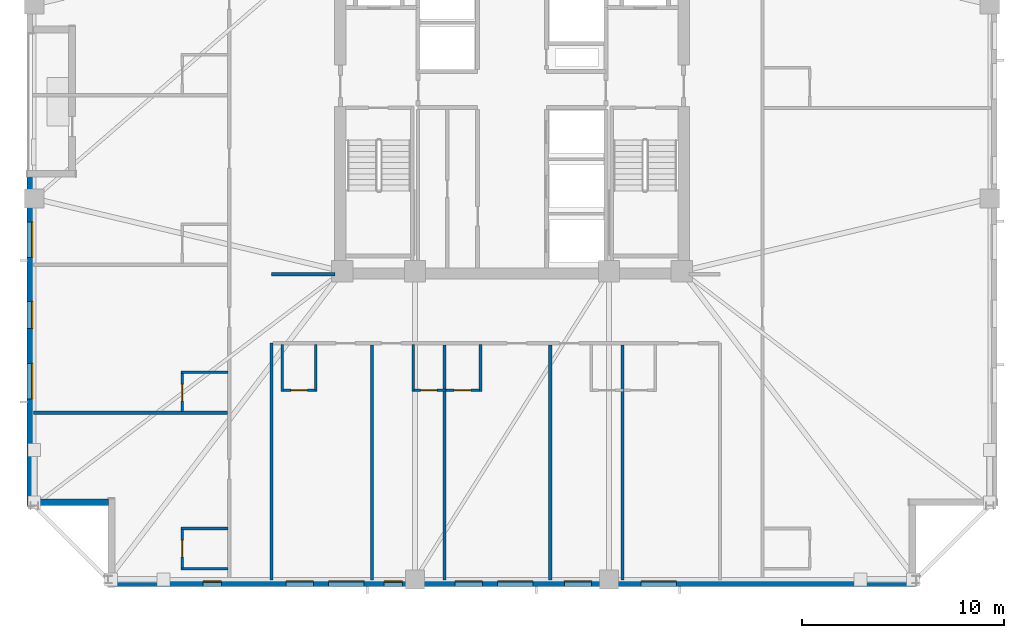
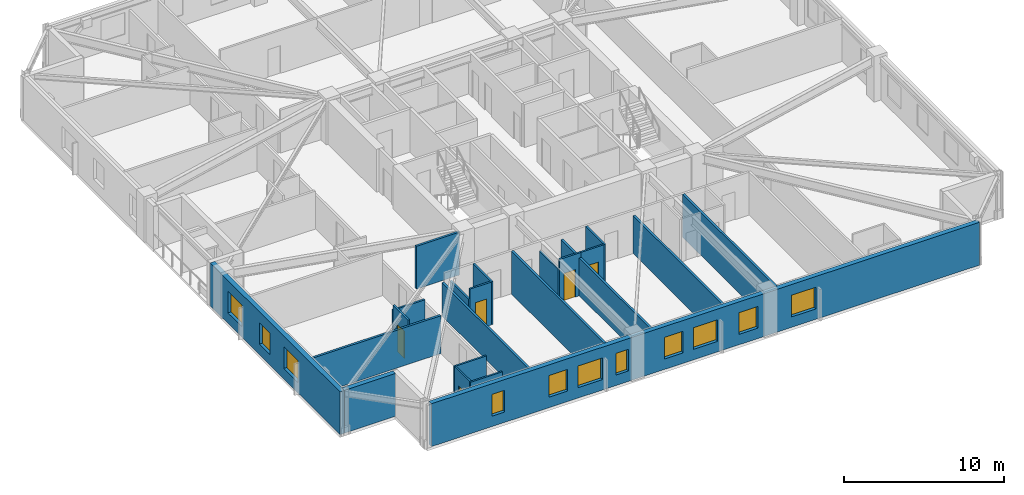
# One storey, part 2 of 11: 22 walls, 11 windows, 5 doors, 16 openings.
"""IFC4 building model written with IfcOpenShell, lengths in metres."""

from ifc_helpers import new_model, si_unit, direction, frame, frame_2d, origin, place, context, subcontext, project, spatial, rectangle, extrude, material, layer, layer_set, type_object, element, fill, save


model = new_model("IFC4")

# Units and contexts
model_context = context("Model", 3, precision=1e-05, world=origin(), true_north=direction((0.0, 1.0)))
body_context = subcontext(model_context, "Body", "Model", "MODEL_VIEW")
ifc_project = project(units=[si_unit("LENGTHUNIT", "METRE"), si_unit("AREAUNIT", "SQUARE_METRE"), si_unit("VOLUMEUNIT", "CUBIC_METRE"), si_unit("PLANEANGLEUNIT", "RADIAN"), si_unit("MASSUNIT", "GRAM", prefix="KILO")], contexts=[model_context])

# Site, building, storey
site_placement = place(None, origin())
site = spatial("IfcSite", under=ifc_project, at=site_placement, CompositionType="ELEMENT")
building_placement = place(site_placement, origin())
building = spatial("IfcBuilding", under=site, at=building_placement, Name="Cairnveth Concourse Tower", CompositionType="ELEMENT")
storey_placement = place(building_placement, frame((0.0, 0.0, 123.5)))
storey = spatial("IfcBuildingStorey", under=building, at=storey_placement, Name="L33", CompositionType="ELEMENT", Elevation=123.5)

# Walls
ifc_material_1 = material(Name="Gypsum Plasterboard Partition", Category="gypsum")
ifc_layer_1 = layer(ifc_material_1, 0.159912109375)
ifc_layer_set_1 = layer_set([ifc_layer_1], Name="Gypsum Plasterboard Partition")
wall_type_1 = type_object("IfcWallType", Name="ACOUSTIC PARTY WALL 180", PredefinedType="PARTITIONING", material=ifc_layer_set_1)
wall_1_placement = place(storey_placement, frame((40.10009765625, 15.324951171875, 0.0), z_axis=(0.0, 0.0, 1.0), x_axis=(0.0, 1.0, 0.0)))
element("IfcWall", 1, at=wall_1_placement, inside=storey, type_object=wall_type_1, Name="Interior Wall IW-L33-038", PredefinedType="PARTITIONING", context=body_context, shape_type="SweptSolid", body=[
    extrude(rectangle(XDim=11.715087890625, YDim=0.159912109375, at=frame_2d((5.857421875, 0.0))), origin(), (0.0, 0.0, 1.0), 2.554931640625),
])
wall_2_placement = place(storey_placement, frame((40.10009765625, 30.449951171875, 0.0), z_axis=(0.0, 0.0, 1.0), x_axis=(1.0, 0.0, 0.0)))
element("IfcWall", 2, at=wall_2_placement, inside=storey, type_object=wall_type_1, Name="Interior Wall IW-L33-040", PredefinedType="PARTITIONING", context=body_context, shape_type="SweptSolid", body=[
    extrude(rectangle(XDim=3.135009765625, YDim=0.159912109375, at=frame_2d((1.5673828125, 0.0))), origin(), (0.0, 0.0, 1.0), 3.280029296875),
])
wall_3_placement = place(storey_placement, frame((45.075439453125, 15.324951171875, 0.0), z_axis=(0.0, 0.0, 1.0), x_axis=(0.0, 1.0, 0.0)))
element("IfcWall", 3, at=wall_3_placement, inside=storey, type_object=wall_type_1, Name="Interior Wall IW-L33-053", PredefinedType="PARTITIONING", context=body_context, shape_type="SweptSolid", body=[
    extrude(rectangle(XDim=11.635009765625, YDim=0.159912109375, at=frame_2d((5.8173828125, 0.0))), origin(), (0.0, 0.0, 1.0), 3.280029296875),
])
for number, where, z_axis, x_axis, name in (
    (4, (48.658447265625, 15.324951171875, 0.0), (0.0, 0.0, 1.0), (0.0, 1.0, 0.0), "Interior Wall IW-L33-056"),
    (5, (53.8916015625, 15.324951171875, 0.0), (0.0, 0.0, 1.0), (0.0, 1.0, 0.0), "Interior Wall IW-L33-059"),
):
    element("IfcWall", number, at=place(storey_placement, frame(where, z_axis=z_axis, x_axis=x_axis)), inside=storey, type_object=wall_type_1, Name=name, PredefinedType="PARTITIONING", context=body_context, shape_type="SweptSolid", body=[
        extrude(rectangle(XDim=11.635009765625, YDim=0.159912109375, at=frame_2d((5.8173828125, 0.0))), origin(), (0.0, 0.0, 1.0), 2.89599609375),
    ])
wall_4_placement = place(storey_placement, frame((57.474609375, 15.324951171875, 0.0), z_axis=(0.0, 0.0, 1.0), x_axis=(0.0, 1.0, 0.0)))
element("IfcWall", 6, at=wall_4_placement, inside=storey, type_object=wall_type_1, Name="Interior Wall IW-L33-062", PredefinedType="PARTITIONING", context=body_context, shape_type="SweptSolid", body=[
    extrude(rectangle(XDim=11.635009765625, YDim=0.159912109375, at=frame_2d((5.8173828125, 0.0))), origin(), (0.0, 0.0, 1.0), 3.280029296875),
])
wall_5_placement = place(storey_placement, frame((28.324951171875, 23.596923828125, 0.0), z_axis=(0.0, 0.0, 1.0), x_axis=(1.0, 0.0, 0.0)))
element("IfcWall", 7, at=wall_5_placement, inside=storey, type_object=wall_type_1, Name="Interior Wall IW-L33-068", PredefinedType="PARTITIONING", context=body_context, shape_type="SweptSolid", body=[
    extrude(rectangle(XDim=9.594970703125, YDim=0.159912109375, at=frame_2d((4.79736328125, 0.0))), origin(), (0.0, 0.0, 1.0), 2.89599609375),
])
ifc_layer_2 = layer(ifc_material_1, 0.1298828125)
ifc_layer_set_2 = layer_set([ifc_layer_2], Name="Gypsum Plasterboard Partition")
wall_type_2 = type_object("IfcWallType", Name="WET AREA PARTITION 140", PredefinedType="PLUMBINGWALL", material=ifc_layer_set_2)
wall_6_placement = place(storey_placement, frame((40.6298828125, 24.659912109375, 0.0), z_axis=(0.0, 0.0, 1.0), x_axis=(0.0, 1.0, 0.0)))
element("IfcWall", 8, at=wall_6_placement, inside=storey, type_object=wall_type_2, Name="Interior Wall IW-L33-050", PredefinedType="PLUMBINGWALL", context=body_context, shape_type="SweptSolid", body=[
    extrude(rectangle(XDim=2.315185546875, YDim=0.1298828125, at=frame_2d((1.15771484375, 0.0))), origin(), (0.0, 0.0, 1.0), 2.554931640625),
])
wall_7_placement = place(storey_placement, frame((42.29443359375, 24.659912109375, 0.0), z_axis=(0.0, 0.0, 1.0), x_axis=(0.0, 1.0, 0.0)))
element("IfcWall", 9, at=wall_7_placement, inside=storey, type_object=wall_type_2, Name="Interior Wall IW-L33-051", PredefinedType="PLUMBINGWALL", context=body_context, shape_type="SweptSolid", body=[
    extrude(rectangle(XDim=2.315185546875, YDim=0.1298828125, at=frame_2d((1.15771484375, 0.0))), origin(), (0.0, 0.0, 1.0), 3.280029296875),
])

# Wall, opening, door
wall_8_placement = place(storey_placement, frame((40.679931640625, 24.7099609375, 0.0), z_axis=(0.0, 0.0, 1.0), x_axis=(1.0, 0.0, 0.0)))
wall_8 = element("IfcWall", 10, at=wall_8_placement, inside=storey, type_object=wall_type_2, Name="Interior Wall IW-L33-052", PredefinedType="PLUMBINGWALL", context=body_context, shape_type="SweptSolid", body=[
    extrude(rectangle(XDim=1.564453125, YDim=0.1298828125, at=frame_2d((0.7822265625, 0.0))), origin(), (0.0, 0.0, 1.0), 3.280029296875),
])
opening_1_placement = place(wall_8_placement, frame((0.372314453125, 0.0, 0.0)))
opening_1 = element("IfcOpeningElement", 11, at=opening_1_placement, cuts=wall_8, Name="Opening ID22", PredefinedType="OPENING", context=body_context, shape_type="SweptSolid", body=[
    extrude(rectangle(XDim=0.820068359375, YDim=2.10009765625, at=frame_2d((0.41015625, 1.050048828125))), frame((0.0, 0.074951171875, 0.0), z_axis=(0.0, -1.0, 0.0), x_axis=(1.0, 0.0, 0.0)), (0.0, 0.0, 1.0), 0.14990234375),
])
ifc_material_2 = material(Name="Solid Core Hardwood Timber Leaf", Category="wood")
door_type = type_object("IfcDoorType", Name="INTERIOR WC DOOR 820X2100", OperationType="NOTDEFINED", PredefinedType="DOOR", material=ifc_material_2)
door_1_placement = place(opening_1_placement, origin())
door_1 = element("IfcDoor", 12, at=door_1_placement, inside=storey, type_object=door_type, Name="En-Suite Door L33-S1", OperationType="SINGLE_SWING_LEFT", OverallHeight=2.10009765625, OverallWidth=0.820068359375, PredefinedType="DOOR", context=body_context, shape_type="SweptSolid", body=[
    extrude(rectangle(XDim=0.820068359375, YDim=2.10009765625, at=frame_2d((0.41015625, 1.050048828125))), frame((0.0, 0.02490234375, 0.0), z_axis=(0.0, -1.0, 0.0), x_axis=(1.0, 0.0, 0.0)), (0.0, 0.0, 1.0), 0.050048828125),
])
fill(opening_1, door_1)

# Wall
wall_9_placement = place(storey_placement, frame((47.1083984375, 24.659912109375, 0.0), z_axis=(0.0, 0.0, 1.0), x_axis=(0.0, 1.0, 0.0)))
element("IfcWall", 13, at=wall_9_placement, inside=storey, type_object=wall_type_2, Name="Interior Wall IW-L33-054", PredefinedType="PLUMBINGWALL", context=body_context, shape_type="SweptSolid", body=[
    extrude(rectangle(XDim=2.315185546875, YDim=0.1298828125, at=frame_2d((1.15771484375, 0.0))), origin(), (0.0, 0.0, 1.0), 2.554931640625),
])

# Wall, opening, door
wall_10_placement = place(storey_placement, frame((47.158447265625, 24.7099609375, 0.0), z_axis=(0.0, 0.0, 1.0), x_axis=(1.0, 0.0, 0.0)))
wall_10 = element("IfcWall", 14, at=wall_10_placement, inside=storey, type_object=wall_type_2, Name="Interior Wall IW-L33-055", PredefinedType="PLUMBINGWALL", context=body_context, shape_type="SweptSolid", body=[
    extrude(rectangle(XDim=1.550048828125, YDim=0.1298828125, at=frame_2d((0.77490234375, 0.0))), origin(), (0.0, 0.0, 1.0), 3.280029296875),
])
opening_2_placement = place(wall_10_placement, frame((0.31494140625, 0.0, 0.0)))
opening_2 = element("IfcOpeningElement", 15, at=opening_2_placement, cuts=wall_10, Name="Opening ID22", PredefinedType="OPENING", context=body_context, shape_type="SweptSolid", body=[
    extrude(rectangle(XDim=0.820068359375, YDim=2.10009765625, at=frame_2d((0.41015625, 1.050048828125))), frame((0.0, 0.074951171875, 0.0), z_axis=(0.0, -1.0, 0.0), x_axis=(1.0, 0.0, 0.0)), (0.0, 0.0, 1.0), 0.14990234375),
])
door_2_placement = place(opening_2_placement, origin())
door_2 = element("IfcDoor", 16, at=door_2_placement, inside=storey, type_object=door_type, Name="En-Suite Door L33-S2", OperationType="SINGLE_SWING_LEFT", OverallHeight=2.10009765625, OverallWidth=0.820068359375, PredefinedType="DOOR", context=body_context, shape_type="SweptSolid", body=[
    extrude(rectangle(XDim=0.820068359375, YDim=2.10009765625, at=frame_2d((0.41015625, 1.050048828125))), frame((0.0, 0.02490234375, 0.0), z_axis=(0.0, -1.0, 0.0), x_axis=(1.0, 0.0, 0.0)), (0.0, 0.0, 1.0), 0.050048828125),
])
fill(opening_2, door_2)

# Wall
wall_11_placement = place(storey_placement, frame((50.437744140625, 24.659912109375, 0.0), z_axis=(0.0, 0.0, 1.0), x_axis=(0.0, 1.0, 0.0)))
element("IfcWall", 17, at=wall_11_placement, inside=storey, type_object=wall_type_2, Name="Interior Wall IW-L33-057", PredefinedType="PLUMBINGWALL", context=body_context, shape_type="SweptSolid", body=[
    extrude(rectangle(XDim=2.315185546875, YDim=0.1298828125, at=frame_2d((1.15771484375, 0.0))), origin(), (0.0, 0.0, 1.0), 3.280029296875),
])

# Wall, opening, door
wall_12_placement = place(storey_placement, frame((48.723388671875, 24.7099609375, 0.0), z_axis=(0.0, 0.0, 1.0), x_axis=(1.0, 0.0, 0.0)))
wall_12 = element("IfcWall", 18, at=wall_12_placement, inside=storey, type_object=wall_type_2, Name="Interior Wall IW-L33-058", PredefinedType="PLUMBINGWALL", context=body_context, shape_type="SweptSolid", body=[
    extrude(rectangle(XDim=1.664306640625, YDim=0.1298828125, at=frame_2d((0.83203125, 0.0))), origin(), (0.0, 0.0, 1.0), 3.280029296875),
])
opening_3_placement = place(wall_12_placement, frame((0.41455078125, 0.0, 0.0)))
opening_3 = element("IfcOpeningElement", 19, at=opening_3_placement, cuts=wall_12, Name="Opening ID22", PredefinedType="OPENING", context=body_context, shape_type="SweptSolid", body=[
    extrude(rectangle(XDim=0.820068359375, YDim=2.10009765625, at=frame_2d((0.41015625, 1.050048828125))), frame((0.0, 0.074951171875, 0.0), z_axis=(0.0, -1.0, 0.0), x_axis=(1.0, 0.0, 0.0)), (0.0, 0.0, 1.0), 0.14990234375),
])
door_3_placement = place(opening_3_placement, origin())
door_3 = element("IfcDoor", 20, at=door_3_placement, inside=storey, type_object=door_type, Name="En-Suite Door L33-S3", OperationType="SINGLE_SWING_LEFT", OverallHeight=2.10009765625, OverallWidth=0.820068359375, PredefinedType="DOOR", context=body_context, shape_type="SweptSolid", body=[
    extrude(rectangle(XDim=0.820068359375, YDim=2.10009765625, at=frame_2d((0.41015625, 1.050048828125))), frame((0.0, 0.02490234375, 0.0), z_axis=(0.0, -1.0, 0.0), x_axis=(1.0, 0.0, 0.0)), (0.0, 0.0, 1.0), 0.050048828125),
])
fill(opening_3, door_3)

# Walls
for number, where, z_axis, x_axis, name in (
    (21, (35.6201171875, 15.8701171875, 0.0), (0.0, 0.0, 1.0), (1.0, 0.0, 0.0), "Interior Wall IW-L33-065"),
    (22, (35.6201171875, 17.8701171875, 0.0), (0.0, 0.0, 1.0), (1.0, 0.0, 0.0), "Interior Wall IW-L33-066"),
):
    element("IfcWall", number, at=place(storey_placement, frame(where, z_axis=z_axis, x_axis=x_axis)), inside=storey, type_object=wall_type_2, Name=name, PredefinedType="PLUMBINGWALL", context=body_context, shape_type="SweptSolid", body=[
        extrude(rectangle(XDim=2.31494140625, YDim=0.1298828125, at=frame_2d((1.157470703125, 0.0))), origin(), (0.0, 0.0, 1.0), 3.280029296875),
    ])

# Wall, opening, door
wall_13_placement = place(storey_placement, frame((35.669921875, 15.919921875, 0.0), z_axis=(0.0, 0.0, 1.0), x_axis=(0.0, 1.0, 0.0)))
wall_13 = element("IfcWall", 23, at=wall_13_placement, inside=storey, type_object=wall_type_2, Name="Interior Wall IW-L33-067", PredefinedType="PLUMBINGWALL", context=body_context, shape_type="SweptSolid", body=[
    extrude(rectangle(XDim=1.900146484375, YDim=0.1298828125, at=frame_2d((0.9501953125, 0.0))), origin(), (0.0, 0.0, 1.0), 3.280029296875),
])
opening_4_placement = place(wall_13_placement, frame((0.5400390625, 0.0, 0.0)))
opening_4 = element("IfcOpeningElement", 24, at=opening_4_placement, cuts=wall_13, Name="Opening ID22", PredefinedType="OPENING", context=body_context, shape_type="SweptSolid", body=[
    extrude(rectangle(XDim=0.820068359375, YDim=2.10009765625, at=frame_2d((0.41015625, 1.050048828125))), frame((0.0, 0.074951171875, 0.0), z_axis=(0.0, -1.0, 0.0), x_axis=(1.0, 0.0, 0.0)), (0.0, 0.0, 1.0), 0.14990234375),
])
door_4_placement = place(opening_4_placement, origin())
door_4 = element("IfcDoor", 25, at=door_4_placement, inside=storey, type_object=door_type, Name="En-Suite Door L33-W1", OperationType="SINGLE_SWING_LEFT", OverallHeight=2.10009765625, OverallWidth=0.820068359375, PredefinedType="DOOR", context=body_context, shape_type="SweptSolid", body=[
    extrude(rectangle(XDim=0.820068359375, YDim=2.10009765625, at=frame_2d((0.41015625, 1.050048828125))), frame((0.0, 0.02490234375, 0.0), z_axis=(0.0, -1.0, 0.0), x_axis=(1.0, 0.0, 0.0)), (0.0, 0.0, 1.0), 0.050048828125),
])
fill(opening_4, door_4)

# Wall
wall_14_placement = place(storey_placement, frame((35.6201171875, 25.596923828125, 0.0), z_axis=(0.0, 0.0, 1.0), x_axis=(1.0, 0.0, 0.0)))
element("IfcWall", 26, at=wall_14_placement, inside=storey, type_object=wall_type_2, Name="Interior Wall IW-L33-069", PredefinedType="PLUMBINGWALL", context=body_context, shape_type="SweptSolid", body=[
    extrude(rectangle(XDim=2.31494140625, YDim=0.1298828125, at=frame_2d((1.157470703125, 0.0))), origin(), (0.0, 0.0, 1.0), 2.89599609375),
])

# Wall, opening, door
wall_15_placement = place(storey_placement, frame((35.669921875, 23.661865234375, 0.0), z_axis=(0.0, 0.0, 1.0), x_axis=(0.0, 1.0, 0.0)))
wall_15 = element("IfcWall", 27, at=wall_15_placement, inside=storey, type_object=wall_type_2, Name="Interior Wall IW-L33-070", PredefinedType="PLUMBINGWALL", context=body_context, shape_type="SweptSolid", body=[
    extrude(rectangle(XDim=1.885009765625, YDim=0.1298828125, at=frame_2d((0.9423828125, 0.0))), origin(), (0.0, 0.0, 1.0), 3.280029296875),
])
opening_5_placement = place(wall_15_placement, frame((0.52490234375, 0.0, 0.0)))
opening_5 = element("IfcOpeningElement", 28, at=opening_5_placement, cuts=wall_15, Name="Opening ID22", PredefinedType="OPENING", context=body_context, shape_type="SweptSolid", body=[
    extrude(rectangle(XDim=0.820068359375, YDim=2.10009765625, at=frame_2d((0.41015625, 1.050048828125))), frame((0.0, 0.074951171875, 0.0), z_axis=(0.0, -1.0, 0.0), x_axis=(1.0, 0.0, 0.0)), (0.0, 0.0, 1.0), 0.14990234375),
])
door_5_placement = place(opening_5_placement, origin())
door_5 = element("IfcDoor", 29, at=door_5_placement, inside=storey, type_object=door_type, Name="En-Suite Door L33-W2", OperationType="SINGLE_SWING_LEFT", OverallHeight=2.10009765625, OverallWidth=0.820068359375, PredefinedType="DOOR", context=body_context, shape_type="SweptSolid", body=[
    extrude(rectangle(XDim=0.820068359375, YDim=2.10009765625, at=frame_2d((0.41015625, 1.050048828125))), frame((0.0, 0.02490234375, 0.0), z_axis=(0.0, -1.0, 0.0), x_axis=(1.0, 0.0, 0.0)), (0.0, 0.0, 1.0), 0.050048828125),
])
fill(opening_5, door_5)

# Wall, openings, windows
ifc_material_3 = material(Name="Hawthorn Red-Ochre Fired Clay Brick Masonry", Category="masonry")
ifc_layer_3 = layer(ifc_material_3, 0.340087890625)
ifc_layer_set_3 = layer_set([ifc_layer_3], Name="Hawthorn Red-Ochre Fired Clay Brick Masonry")
wall_type_3 = type_object("IfcWallType", Name="ZONE 2 BRICK PIER SPANDREL WALL 340", PredefinedType="SOLIDWALL", material=ifc_layer_set_3)
wall_16_placement = place(storey_placement, frame((72.0, 15.169921875, 0.0), z_axis=(0.0, 0.0, 1.0), x_axis=(-1.0, 0.0, 0.0)))
wall_16 = element("IfcWall", 30, at=wall_16_placement, inside=storey, type_object=wall_type_3, Name="Exterior Wall EW-L33-S09", PredefinedType="SOLIDWALL", context=body_context, shape_type="SweptSolid", body=[
    extrude(rectangle(XDim=39.681884765625, YDim=0.340087890625, at=frame_2d((19.8408203125, 0.0))), origin(), (0.0, 0.0, 1.0), 3.280029296875),
])
opening_6_placement = place(wall_16_placement, frame((11.85888671875, 0.0, 0.800048828125)))
opening_6 = element("IfcOpeningElement", 31, at=opening_6_placement, cuts=wall_16, Name="Opening W06", PredefinedType="OPENING", context=body_context, shape_type="SweptSolid", body=[
    extrude(rectangle(XDim=1.75, YDim=1.659912109375, at=frame_2d((0.875, 0.830078125))), frame((0.0, 0.179931640625, 0.0), z_axis=(0.0, -1.0, 0.0), x_axis=(1.0, 0.0, 0.0)), (0.0, 0.0, 1.0), 0.360107421875),
])
opening_7_placement = place(wall_16_placement, frame((16.0625, 0.0, 0.800048828125)))
opening_7 = element("IfcOpeningElement", 32, at=opening_7_placement, cuts=wall_16, Name="Opening W02", PredefinedType="OPENING", context=body_context, shape_type="SweptSolid", body=[
    extrude(rectangle(XDim=1.35009765625, YDim=1.659912109375, at=frame_2d((0.675048828125, 0.830078125))), frame((0.0, 0.179931640625, 0.0), z_axis=(0.0, -1.0, 0.0), x_axis=(1.0, 0.0, 0.0)), (0.0, 0.0, 1.0), 0.360107421875),
])
opening_8_placement = place(wall_16_placement, frame((18.966064453125, 0.0, 0.800048828125)))
opening_8 = element("IfcOpeningElement", 33, at=opening_8_placement, cuts=wall_16, Name="Opening W06", PredefinedType="OPENING", context=body_context, shape_type="SweptSolid", body=[
    extrude(rectangle(XDim=1.75, YDim=1.659912109375, at=frame_2d((0.875, 0.830078125))), frame((0.0, 0.179931640625, 0.0), z_axis=(0.0, -1.0, 0.0), x_axis=(1.0, 0.0, 0.0)), (0.0, 0.0, 1.0), 0.360107421875),
])
opening_9_placement = place(wall_16_placement, frame((21.469482421875, 0.0, 0.800048828125)))
opening_9 = element("IfcOpeningElement", 34, at=opening_9_placement, cuts=wall_16, Name="Opening W02", PredefinedType="OPENING", context=body_context, shape_type="SweptSolid", body=[
    extrude(rectangle(XDim=1.35009765625, YDim=1.659912109375, at=frame_2d((0.675048828125, 0.830078125))), frame((0.0, 0.179931640625, 0.0), z_axis=(0.0, -1.0, 0.0), x_axis=(1.0, 0.0, 0.0)), (0.0, 0.0, 1.0), 0.360107421875),
])
opening_10_placement = place(wall_16_placement, frame((27.322998046875, 0.0, 0.800048828125)))
opening_10 = element("IfcOpeningElement", 35, at=opening_10_placement, cuts=wall_16, Name="Opening W06", PredefinedType="OPENING", context=body_context, shape_type="SweptSolid", body=[
    extrude(rectangle(XDim=1.75, YDim=1.659912109375, at=frame_2d((0.875, 0.830078125))), frame((0.0, 0.179931640625, 0.0), z_axis=(0.0, -1.0, 0.0), x_axis=(1.0, 0.0, 0.0)), (0.0, 0.0, 1.0), 0.360107421875),
])
opening_11_placement = place(wall_16_placement, frame((29.82666015625, 0.0, 0.800048828125)))
opening_11 = element("IfcOpeningElement", 36, at=opening_11_placement, cuts=wall_16, Name="Opening W02", PredefinedType="OPENING", context=body_context, shape_type="SweptSolid", body=[
    extrude(rectangle(XDim=1.35009765625, YDim=1.659912109375, at=frame_2d((0.675048828125, 0.830078125))), frame((0.0, 0.179931640625, 0.0), z_axis=(0.0, -1.0, 0.0), x_axis=(1.0, 0.0, 0.0)), (0.0, 0.0, 1.0), 0.360107421875),
])
opening_12_placement = place(wall_16_placement, frame((25.429931640625, 0.0, 0.800048828125)))
opening_12 = element("IfcOpeningElement", 37, at=opening_12_placement, cuts=wall_16, Name="Opening W13", PredefinedType="OPENING", context=body_context, shape_type="SweptSolid", body=[
    extrude(rectangle(XDim=0.89990234375, YDim=1.659912109375, at=frame_2d((0.449951171875, 0.830078125))), frame((0.0, 0.179931640625, 0.0), z_axis=(0.0, -1.0, 0.0), x_axis=(1.0, 0.0, 0.0)), (0.0, 0.0, 1.0), 0.360107421875),
])
opening_13_placement = place(wall_16_placement, frame((34.389892578125, 0.0, 0.800048828125)))
opening_13 = element("IfcOpeningElement", 38, at=opening_13_placement, cuts=wall_16, Name="Opening W13", PredefinedType="OPENING", context=body_context, shape_type="SweptSolid", body=[
    extrude(rectangle(XDim=0.89990234375, YDim=1.659912109375, at=frame_2d((0.449951171875, 0.830078125))), frame((0.0, 0.179931640625, 0.0), z_axis=(0.0, -1.0, 0.0), x_axis=(1.0, 0.0, 0.0)), (0.0, 0.0, 1.0), 0.360107421875),
])
ifc_material_4 = material(Name="Double Glazed Low-E Clear Glass", Category="glass")
window_type_1 = type_object("IfcWindowType", Name="DEEP-SET BEDROOM LANCET WINDOW 900X1750", PartitioningType="DOUBLE_PANEL_VERTICAL", PredefinedType="WINDOW", material=ifc_material_4)
window_1_placement = place(opening_12_placement, origin())
window_1 = element("IfcWindow", 39, at=window_1_placement, inside=storey, type_object=window_type_1, Name="Dwelling Lancet Window L33-DW1", OverallHeight=1.659912109375, OverallWidth=0.89990234375, PartitioningType="SINGLE_PANEL", PredefinedType="WINDOW", context=body_context, shape_type="SweptSolid", body=[
    extrude(rectangle(XDim=0.89990234375, YDim=1.659912109375, at=frame_2d((0.449951171875, 0.830078125))), frame((0.0, -0.0400390625, 0.0), z_axis=(0.0, -1.0, 0.0), x_axis=(1.0, 0.0, 0.0)), (0.0, 0.0, 1.0), 0.06005859375),
])
fill(opening_12, window_1)
window_2_placement = place(opening_13_placement, origin())
window_2 = element("IfcWindow", 40, at=window_2_placement, inside=storey, type_object=window_type_1, Name="Dwelling Lancet Window L33-DW2", OverallHeight=1.659912109375, OverallWidth=0.89990234375, PartitioningType="SINGLE_PANEL", PredefinedType="WINDOW", context=body_context, shape_type="SweptSolid", body=[
    extrude(rectangle(XDim=0.89990234375, YDim=1.659912109375, at=frame_2d((0.449951171875, 0.830078125))), frame((0.0, -0.0400390625, 0.0), z_axis=(0.0, -1.0, 0.0), x_axis=(1.0, 0.0, 0.0)), (0.0, 0.0, 1.0), 0.06005859375),
])
fill(opening_13, window_2)
window_type_2 = type_object("IfcWindowType", Name="DEEP-SET GOTHIC LANCET WINDOW 1350X1800", PartitioningType="DOUBLE_PANEL_VERTICAL", PredefinedType="WINDOW", material=ifc_material_4)
window_3_placement = place(opening_7_placement, origin())
window_3 = element("IfcWindow", 41, at=window_3_placement, inside=storey, type_object=window_type_2, Name="Gothic Lancet Window L33-9-4", OverallHeight=1.659912109375, OverallWidth=1.35009765625, PartitioningType="SINGLE_PANEL", PredefinedType="WINDOW", context=body_context, shape_type="SweptSolid", body=[
    extrude(rectangle(XDim=1.35009765625, YDim=1.659912109375, at=frame_2d((0.675048828125, 0.830078125))), frame((0.0, -0.050048828125, 0.0), z_axis=(0.0, -1.0, 0.0), x_axis=(1.0, 0.0, 0.0)), (0.0, 0.0, 1.0), 0.06005859375),
])
fill(opening_7, window_3)
window_4_placement = place(opening_9_placement, origin())
window_4 = element("IfcWindow", 42, at=window_4_placement, inside=storey, type_object=window_type_2, Name="Gothic Lancet Window L33-9-6", OverallHeight=1.659912109375, OverallWidth=1.35009765625, PartitioningType="SINGLE_PANEL", PredefinedType="WINDOW", context=body_context, shape_type="SweptSolid", body=[
    extrude(rectangle(XDim=1.35009765625, YDim=1.659912109375, at=frame_2d((0.675048828125, 0.830078125))), frame((0.0, -0.050048828125, 0.0), z_axis=(0.0, -1.0, 0.0), x_axis=(1.0, 0.0, 0.0)), (0.0, 0.0, 1.0), 0.06005859375),
])
fill(opening_9, window_4)
window_5_placement = place(opening_11_placement, origin())
window_5 = element("IfcWindow", 43, at=window_5_placement, inside=storey, type_object=window_type_2, Name="Gothic Lancet Window L33-9-8", OverallHeight=1.659912109375, OverallWidth=1.35009765625, PartitioningType="SINGLE_PANEL", PredefinedType="WINDOW", context=body_context, shape_type="SweptSolid", body=[
    extrude(rectangle(XDim=1.35009765625, YDim=1.659912109375, at=frame_2d((0.675048828125, 0.830078125))), frame((0.0, -0.050048828125, 0.0), z_axis=(0.0, -1.0, 0.0), x_axis=(1.0, 0.0, 0.0)), (0.0, 0.0, 1.0), 0.06005859375),
])
fill(opening_11, window_5)
window_type_3 = type_object("IfcWindowType", Name="DEEP-SET HOTEL SUITE WINDOW 1750X1800", PartitioningType="DOUBLE_PANEL_VERTICAL", PredefinedType="WINDOW", material=ifc_material_4)
window_6_placement = place(opening_6_placement, origin())
window_6 = element("IfcWindow", 44, at=window_6_placement, inside=storey, type_object=window_type_3, Name="Gothic Lancet Window L33-9-3", OverallHeight=1.659912109375, OverallWidth=1.75, PartitioningType="SINGLE_PANEL", PredefinedType="WINDOW", context=body_context, shape_type="SweptSolid", body=[
    extrude(rectangle(XDim=1.75, YDim=1.659912109375, at=frame_2d((0.875, 0.830078125))), frame((0.0, -0.050048828125, 0.0), z_axis=(0.0, -1.0, 0.0), x_axis=(1.0, 0.0, 0.0)), (0.0, 0.0, 1.0), 0.06005859375),
])
fill(opening_6, window_6)
window_7_placement = place(opening_8_placement, origin())
window_7 = element("IfcWindow", 45, at=window_7_placement, inside=storey, type_object=window_type_3, Name="Gothic Lancet Window L33-9-5", OverallHeight=1.659912109375, OverallWidth=1.75, PartitioningType="SINGLE_PANEL", PredefinedType="WINDOW", context=body_context, shape_type="SweptSolid", body=[
    extrude(rectangle(XDim=1.75, YDim=1.659912109375, at=frame_2d((0.875, 0.830078125))), frame((0.0, -0.050048828125, 0.0), z_axis=(0.0, -1.0, 0.0), x_axis=(1.0, 0.0, 0.0)), (0.0, 0.0, 1.0), 0.06005859375),
])
fill(opening_8, window_7)
window_8_placement = place(opening_10_placement, origin())
window_8 = element("IfcWindow", 46, at=window_8_placement, inside=storey, type_object=window_type_3, Name="Gothic Lancet Window L33-9-7", OverallHeight=1.659912109375, OverallWidth=1.75, PartitioningType="SINGLE_PANEL", PredefinedType="WINDOW", context=body_context, shape_type="SweptSolid", body=[
    extrude(rectangle(XDim=1.75, YDim=1.659912109375, at=frame_2d((0.875, 0.830078125))), frame((0.0, -0.050048828125, 0.0), z_axis=(0.0, -1.0, 0.0), x_axis=(1.0, 0.0, 0.0)), (0.0, 0.0, 1.0), 0.06005859375),
])
fill(opening_10, window_8)

# Wall
wall_17_placement = place(storey_placement, frame((32.02197265625, 19.169921875, 0.0), z_axis=(0.0, 0.0, 1.0), x_axis=(-1.0, 0.0, 0.0)))
element("IfcWall", 47, at=wall_17_placement, inside=storey, type_object=wall_type_3, Name="Exterior Wall EW-L33-S11", PredefinedType="SOLIDWALL", context=body_context, shape_type="SweptSolid", body=[
    extrude(rectangle(XDim=3.703857421875, YDim=0.340087890625, at=frame_2d((1.85205078125, 0.0))), origin(), (0.0, 0.0, 1.0), 3.280029296875),
])

# Wall, openings, windows
wall_18_placement = place(storey_placement, frame((28.169921875, 19.0, 0.0), z_axis=(0.0, 0.0, 1.0), x_axis=(0.0, 1.0, 0.0)))
wall_18 = element("IfcWall", 48, at=wall_18_placement, inside=storey, type_object=wall_type_3, Name="Exterior Wall EW-L33-S12", PredefinedType="SOLIDWALL", context=body_context, shape_type="SweptSolid", body=[
    extrude(rectangle(XDim=16.281982421875, YDim=0.340087890625, at=frame_2d((8.14111328125, 0.0))), origin(), (0.0, 0.0, 1.0), 3.280029296875),
])
opening_14_placement = place(wall_18_placement, frame((5.288818359375, 0.0, 0.800048828125)))
opening_14 = element("IfcOpeningElement", 49, at=opening_14_placement, cuts=wall_18, Name="Opening W06", PredefinedType="OPENING", context=body_context, shape_type="SweptSolid", body=[
    extrude(rectangle(XDim=1.75, YDim=1.659912109375, at=frame_2d((0.875, 0.830078125))), frame((0.0, 0.179931640625, 0.0), z_axis=(0.0, -1.0, 0.0), x_axis=(1.0, 0.0, 0.0)), (0.0, 0.0, 1.0), 0.360107421875),
])
opening_15_placement = place(wall_18_placement, frame((8.76611328125, 0.0, 0.800048828125)))
opening_15 = element("IfcOpeningElement", 50, at=opening_15_placement, cuts=wall_18, Name="Opening W02", PredefinedType="OPENING", context=body_context, shape_type="SweptSolid", body=[
    extrude(rectangle(XDim=1.35009765625, YDim=1.659912109375, at=frame_2d((0.675048828125, 0.830078125))), frame((0.0, 0.179931640625, 0.0), z_axis=(0.0, -1.0, 0.0), x_axis=(1.0, 0.0, 0.0)), (0.0, 0.0, 1.0), 0.360107421875),
])
opening_16_placement = place(wall_18_placement, frame((12.293212890625, 0.0, 0.800048828125)))
opening_16 = element("IfcOpeningElement", 51, at=opening_16_placement, cuts=wall_18, Name="Opening W06", PredefinedType="OPENING", context=body_context, shape_type="SweptSolid", body=[
    extrude(rectangle(XDim=1.75, YDim=1.659912109375, at=frame_2d((0.875, 0.830078125))), frame((0.0, 0.179931640625, 0.0), z_axis=(0.0, -1.0, 0.0), x_axis=(1.0, 0.0, 0.0)), (0.0, 0.0, 1.0), 0.360107421875),
])
window_9_placement = place(opening_15_placement, origin())
window_9 = element("IfcWindow", 52, at=window_9_placement, inside=storey, type_object=window_type_2, Name="Gothic Lancet Window L33-12-2", OverallHeight=1.659912109375, OverallWidth=1.35009765625, PartitioningType="SINGLE_PANEL", PredefinedType="WINDOW", context=body_context, shape_type="SweptSolid", body=[
    extrude(rectangle(XDim=1.35009765625, YDim=1.659912109375, at=frame_2d((0.675048828125, 0.830078125))), frame((0.0, -0.050048828125, 0.0), z_axis=(0.0, -1.0, 0.0), x_axis=(1.0, 0.0, 0.0)), (0.0, 0.0, 1.0), 0.06005859375),
])
fill(opening_15, window_9)
window_10_placement = place(opening_14_placement, origin())
window_10 = element("IfcWindow", 53, at=window_10_placement, inside=storey, type_object=window_type_3, Name="Gothic Lancet Window L33-12-1", OverallHeight=1.659912109375, OverallWidth=1.75, PartitioningType="SINGLE_PANEL", PredefinedType="WINDOW", context=body_context, shape_type="SweptSolid", body=[
    extrude(rectangle(XDim=1.75, YDim=1.659912109375, at=frame_2d((0.875, 0.830078125))), frame((0.0, -0.050048828125, 0.0), z_axis=(0.0, -1.0, 0.0), x_axis=(1.0, 0.0, 0.0)), (0.0, 0.0, 1.0), 0.06005859375),
])
fill(opening_14, window_10)
window_11_placement = place(opening_16_placement, origin())
window_11 = element("IfcWindow", 54, at=window_11_placement, inside=storey, type_object=window_type_3, Name="Gothic Lancet Window L33-12-3", OverallHeight=1.659912109375, OverallWidth=1.75, PartitioningType="SINGLE_PANEL", PredefinedType="WINDOW", context=body_context, shape_type="SweptSolid", body=[
    extrude(rectangle(XDim=1.75, YDim=1.659912109375, at=frame_2d((0.875, 0.830078125))), frame((0.0, -0.050048828125, 0.0), z_axis=(0.0, -1.0, 0.0), x_axis=(1.0, 0.0, 0.0)), (0.0, 0.0, 1.0), 0.06005859375),
])
fill(opening_16, window_11)

save(model, "model.ifc")
